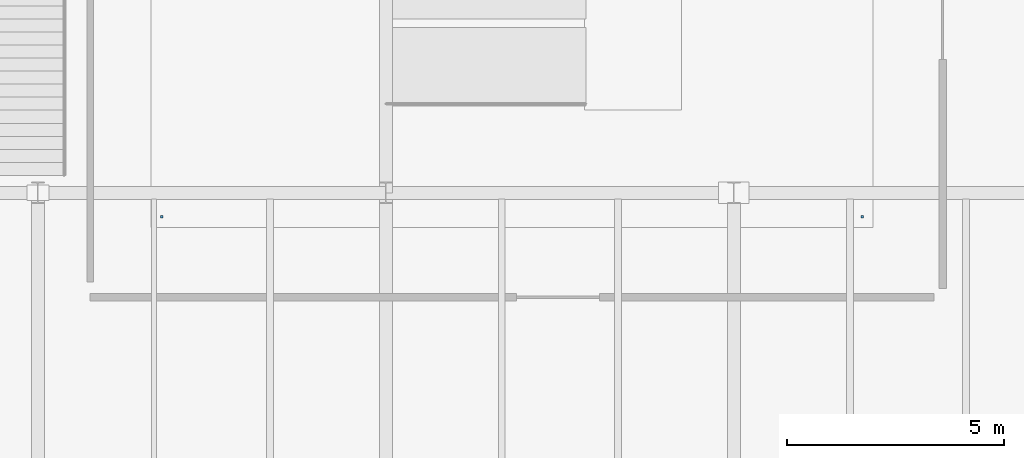
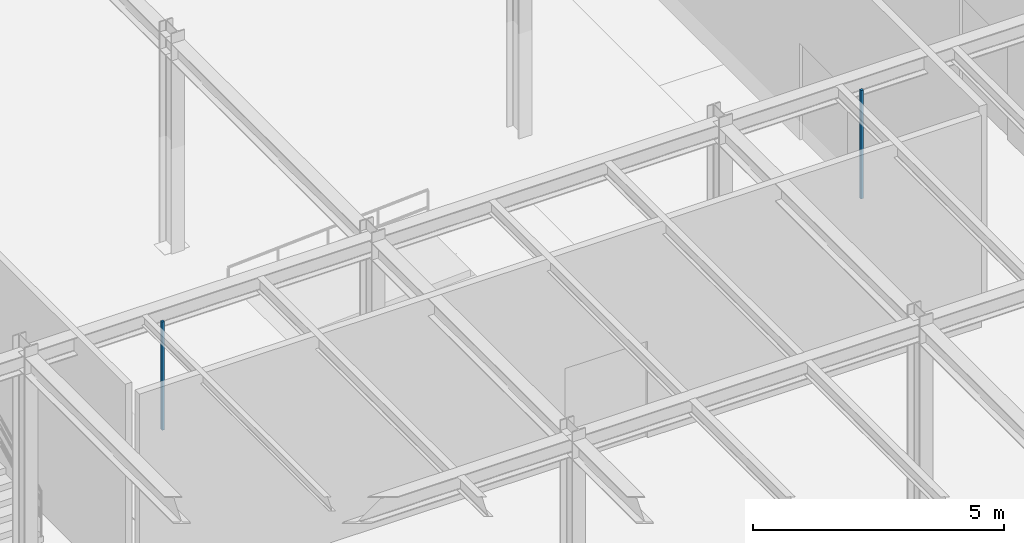
# One storey, part 99 of 129: 2 discrete accessories.
"""IFC4 building model written with IfcOpenShell, lengths in metres."""

import ifcopenshell
import ifcopenshell.guid

model = None  # the IFC model being written
_history = None  # IfcOwnerHistory: only IFC2X3 demands one
_inside = {}  # id of a spatial element -> (the spatial element, [elements in it])
_under = {}  # id of a project, library or spatial element -> (it, [spatial elements below it])
_declared = {}  # id of a project -> (the project, [libraries it declares])
_typed = {}  # id of a type object -> (the type object, [elements of that type])
_made_of = {}  # id of a material, layer set ... -> (it, [elements and type objects made of it])


def new_model(schema):
    """Start an empty IFC model of exactly this schema.

    Asked for "IFC4X3", IfcOpenShell would pick the latest addendum, in which some entities
    have other attributes; the version numbers below select the first issue.
    IFC2X3 requires an IfcOwnerHistory on every rooted entity: one is made here for all.
    """
    global model, _history
    if schema == "IFC4X3":
        model = ifcopenshell.file(schema_version=(4, 3, 0, 0))
    else:
        model = ifcopenshell.file(schema=schema)
    _inside.clear()
    _under.clear()
    _declared.clear()
    _typed.clear()
    _made_of.clear()
    _history = None
    if model.schema == "IFC2X3":
        org = make("IfcOrganization", Name="unknown")
        user = make(
            "IfcPersonAndOrganization",
            ThePerson=make("IfcPerson", FamilyName="unknown"),
            TheOrganization=org,
        )
        app = make(
            "IfcApplication",
            ApplicationDeveloper=org,
            Version="unknown",
            ApplicationFullName="unknown",
            ApplicationIdentifier="unknown",
        )
        _history = make(
            "IfcOwnerHistory",
            OwningUser=user,
            OwningApplication=app,
            ChangeAction="ADDED",
            CreationDate=0,
        )
    return model


def make(cls, **values):
    """One entity of the class cls with the attributes given. An attribute that is None is left unset."""
    return model.create_entity(
        cls, **{name: value for name, value in values.items() if value is not None}
    )


def rooted(cls, **values):
    """An entity with a GlobalId (a new one), such as an element, a storey or a relation."""
    return make(cls, GlobalId=ifcopenshell.guid.new(), OwnerHistory=_history, **values)


def si_unit(unit_type, name, prefix=None):
    """IfcSIUnit, for example si_unit("LENGTHUNIT", "METRE", prefix="MILLI")."""
    return make("IfcSIUnit", UnitType=unit_type, Prefix=prefix, Name=name)


def assignment(units):
    """IfcUnitAssignment: the units of a project."""
    return None if units is None else make("IfcUnitAssignment", Units=units)


def point(xyz):
    """IfcCartesianPoint."""
    return None if xyz is None else make("IfcCartesianPoint", Coordinates=xyz)


def direction(xyz):
    """IfcDirection."""
    return None if xyz is None else make("IfcDirection", DirectionRatios=xyz)


def frame(location, z_axis=None, x_axis=None):
    """IfcAxis2Placement3D, a coordinate frame: its origin and axes. An axis left out is left unset."""
    return make(
        "IfcAxis2Placement3D",
        Location=point(location),
        Axis=direction(z_axis),
        RefDirection=direction(x_axis),
    )


def frame_2d(location, x_axis=None):
    """IfcAxis2Placement2D, a coordinate frame in the plane: its origin and x axis."""
    return make(
        "IfcAxis2Placement2D", Location=point(location), RefDirection=direction(x_axis)
    )


def origin():
    """The frame at (0, 0, 0) with its axes left unset."""
    return frame((0.0, 0.0, 0.0))


def origin_2d():
    """The frame at (0, 0) in the plane with its x axis left unset."""
    return frame_2d((0.0, 0.0))


def place(relative_to, where):
    """IfcLocalPlacement: puts the frame where relative to a parent placement (None: the world)."""
    return make(
        "IfcLocalPlacement", PlacementRelTo=relative_to, RelativePlacement=where
    )


def context(
    kind, dimensions, precision=None, world=None, true_north=None, identifier=None
):
    """IfcGeometricRepresentationContext, for example the 3D "Model" context."""
    return make(
        "IfcGeometricRepresentationContext",
        ContextIdentifier=identifier,
        ContextType=kind,
        CoordinateSpaceDimension=dimensions,
        Precision=precision,
        WorldCoordinateSystem=world,
        TrueNorth=true_north,
    )


def subcontext(parent, identifier, kind, view, scale=None):
    """IfcGeometricRepresentationSubContext, for example "Body" below "Model"."""
    return make(
        "IfcGeometricRepresentationSubContext",
        ContextIdentifier=identifier,
        ContextType=kind,
        ParentContext=parent,
        TargetScale=scale,
        TargetView=view,
    )


def project(units=None, contexts=None):
    """IfcProject with its units and contexts."""
    return rooted(
        "IfcProject",
        Name="project",
        RepresentationContexts=contexts,
        UnitsInContext=assignment(units),
    )


def spatial(cls, under=None, at=None, **own):
    """A site, building, storey or space (cls), placed at a placement, below another one or the project."""
    s = rooted(cls, ObjectPlacement=at, **own)
    if under is not None:
        _under.setdefault(under.id(), (under, []))[1].append(s)
    return s


def profile(cls, at=None, kind="AREA", **sizes):
    """A parametric profile (cls). Its sizes go by their IFC names, for example OverallWidth=200.0."""
    return make(cls, ProfileType=kind, Position=at, **sizes)


def rectangle(**sizes):
    """IfcRectangleProfileDef."""
    return profile("IfcRectangleProfileDef", **sizes)


def extrude(swept, where, along, depth):
    """IfcExtrudedAreaSolid: the profile swept, set in the frame where, extruded along a direction by depth."""
    return make(
        "IfcExtrudedAreaSolid",
        SweptArea=swept,
        Position=where,
        ExtrudedDirection=direction(along),
        Depth=depth,
    )


def shape(context_of_items, identifier, shape_type, items):
    """IfcShapeRepresentation: the items that make up one representation, for example the "Body"."""
    return make(
        "IfcShapeRepresentation",
        ContextOfItems=context_of_items,
        RepresentationIdentifier=identifier,
        RepresentationType=shape_type,
        Items=items,
    )


def material(Name=None, Category=None):
    """IfcMaterial."""
    return make("IfcMaterial", Name=Name, Category=Category)


def made_of(thing, what):
    """Note that an element or type object is made of a material, layer set ...; save() writes the relation."""
    if what is not None:
        _made_of.setdefault(what.id(), (what, []))[1].append(thing)
    return thing


def type_object(cls, material=None, **own):
    """A type object (cls), such as IfcWallType, which elements share."""
    return made_of(rooted(cls, **own), material)


def element(
    cls,
    number,
    at=None,
    inside=None,
    cuts=None,
    type_object=None,
    material=None,
    context=None,
    identifier="Body",
    shape_type=None,
    held_by="IfcProductDefinitionShape",
    body=None,
    shapes=None,
    **own,
):
    """One element of the class cls, such as IfcWall. Its Tag is "e" and its number.

    at: its placement. inside: the storey or other place that contains it. cuts: it is an
    opening in that element (IfcRelVoidsElement). A single representation is given by context,
    identifier, shape_type and body (its items); several are given by shapes. held_by: the class
    of the entity that holds the representations. save() writes the other relations.
    """
    e = rooted(cls, Tag="e%d" % number, ObjectPlacement=at, **own)
    if body is not None:
        shapes = [shape(context, identifier, shape_type, body)]
    if shapes is not None:
        e.Representation = make(held_by, Representations=shapes)
    if inside is not None:
        _inside.setdefault(inside.id(), (inside, []))[1].append(e)
    if cuts is not None:
        rooted(
            "IfcRelVoidsElement", RelatingBuildingElement=cuts, RelatedOpeningElement=e
        )
    if type_object is not None:
        _typed.setdefault(type_object.id(), (type_object, []))[1].append(e)
    return made_of(e, material)


def aggregate(whole, parts):
    """IfcRelAggregates: a whole, such as a stair, and the parts it consists of."""
    return rooted("IfcRelAggregates", RelatingObject=whole, RelatedObjects=parts)


def save(model, path):
    """Write the relations noted so far, then the file.

    IfcRelAggregates (storeys below a building ...), IfcRelContainedInSpatialStructure (elements
    in a storey), IfcRelDefinesByType, IfcRelAssociatesMaterial and IfcRelDeclares: one each for
    every whole, place, type object, material and project.
    """
    for whole, parts in _under.values():
        aggregate(whole, parts)
    for where, things in _inside.values():
        rooted(
            "IfcRelContainedInSpatialStructure",
            RelatedElements=things,
            RelatingStructure=where,
        )
    for kind, things in _typed.values():
        rooted("IfcRelDefinesByType", RelatedObjects=things, RelatingType=kind)
    for what, things in _made_of.values():
        rooted("IfcRelAssociatesMaterial", RelatedObjects=things, RelatingMaterial=what)
    for by, libraries in _declared.values():
        rooted("IfcRelDeclares", RelatingContext=by, RelatedDefinitions=libraries)
    model.write(path)


model = new_model("IFC4")

# Units and contexts
model_context = context("Model", 3, precision=1e-05, world=origin(), true_north=direction((0.0, 1.0)))
body_context = subcontext(model_context, "Body", "Model", "MODEL_VIEW")
ifc_project = project(units=[si_unit("LENGTHUNIT", "METRE"), si_unit("AREAUNIT", "SQUARE_METRE"), si_unit("VOLUMEUNIT", "CUBIC_METRE"), si_unit("PLANEANGLEUNIT", "RADIAN"), si_unit("MASSUNIT", "GRAM", prefix="KILO")], contexts=[model_context])

# Site, building, storey
site_placement = place(None, origin())
site = spatial("IfcSite", under=ifc_project, at=site_placement, CompositionType="ELEMENT")
building_placement = place(site_placement, origin())
building = spatial("IfcBuilding", under=site, at=building_placement, Name="Sundkrona Museum", CompositionType="ELEMENT")
storey_placement = place(building_placement, origin())
storey = spatial("IfcBuildingStorey", under=building, at=storey_placement, Name="L00", CompositionType="ELEMENT", Elevation=0.0)

# Discrete accessories
ifc_material = material(Name="Stainless Steel EN 1.4404 Cleat", Category="steel")
discrete_accessory_type = type_object("IfcDiscreteAccessoryType", Name="BRK-FIN-01", PredefinedType="BRACKET", material=ifc_material)
for number, where, z_axis, x_axis, name in (
    (1, (130.85009765625, 15.449951171875, 2.55029296875), (0.0, 0.0, 1.0), (1.0, 0.0, 0.0), "L00 Natural History Gallery Ceiling Hanger 1"),
    (2, (146.949951171875, 15.449951171875, 2.55029296875), (0.0, 0.0, 1.0), (1.0, 0.0, 0.0), "L00 Natural History Gallery Ceiling Hanger 2"),
):
    element("IfcDiscreteAccessory", number, at=place(storey_placement, frame(where, z_axis=z_axis, x_axis=x_axis)), inside=storey, type_object=discrete_accessory_type, Name=name, PredefinedType="BRACKET", context=body_context, shape_type="SweptSolid", body=[
        extrude(rectangle(XDim=0.06005859375, YDim=0.06005859375, at=origin_2d()), origin(), (0.0, 0.0, 1.0), 2.639892578125),
    ])

save(model, "model.ifc")
